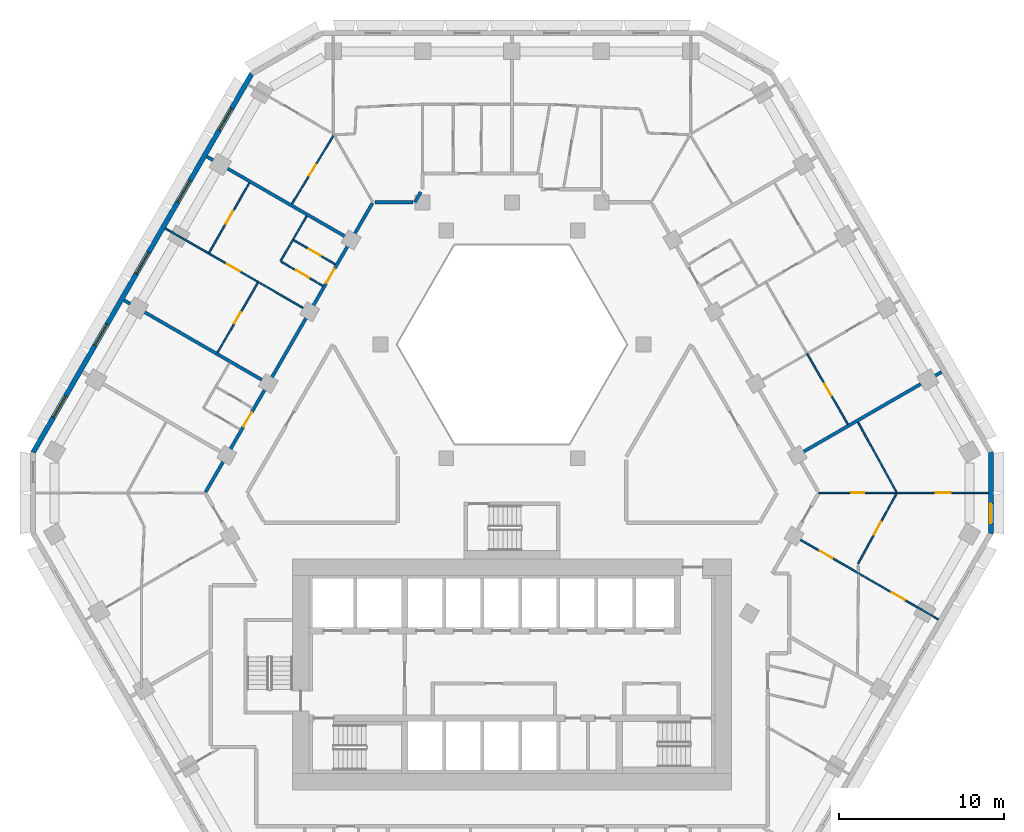
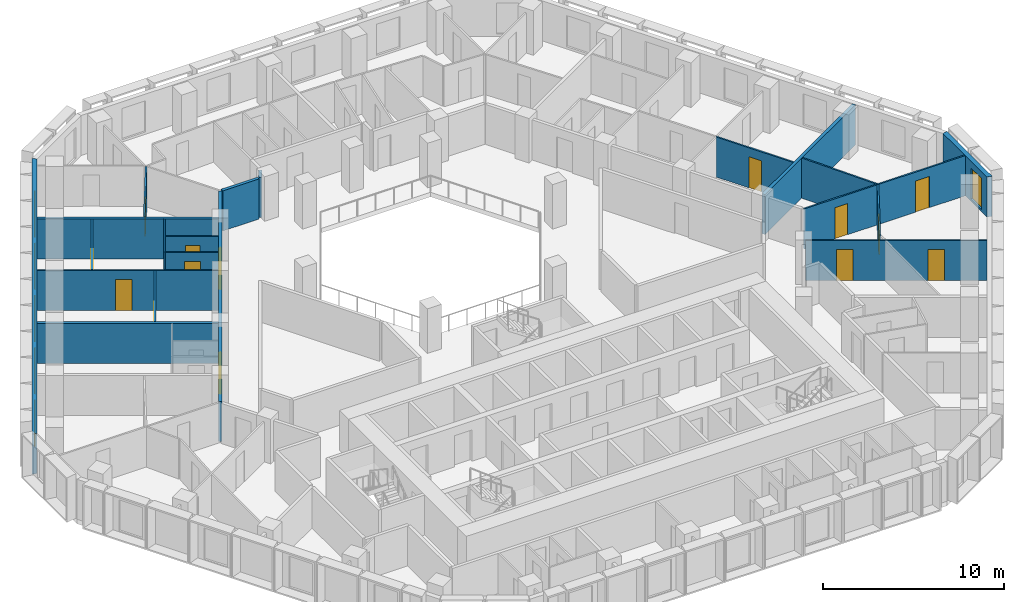
# One storey, part 7 of 15: 20 walls, 14 doors, 6 windows, 20 openings.
"""IFC4 building model written with IfcOpenShell, lengths in metres."""

from ifc_helpers import new_model, si_unit, direction, frame, frame_2d, origin, place, context, subcontext, project, spatial, polyline, rectangle, outline, extrude, material, layer, layer_set, type_object, element, fill, save


model = new_model("IFC4")

# Units and contexts
model_context = context("Model", 3, precision=1e-05, world=origin(), true_north=direction((0.0, 1.0)))
body_context = subcontext(model_context, "Body", "Model", "MODEL_VIEW")
ifc_project = project(units=[si_unit("LENGTHUNIT", "METRE"), si_unit("AREAUNIT", "SQUARE_METRE"), si_unit("VOLUMEUNIT", "CUBIC_METRE"), si_unit("PLANEANGLEUNIT", "RADIAN"), si_unit("MASSUNIT", "GRAM", prefix="KILO")], contexts=[model_context])

# Site, building, storey
site_placement = place(None, origin())
site = spatial("IfcSite", under=ifc_project, at=site_placement, CompositionType="ELEMENT")
building_placement = place(site_placement, origin())
building = spatial("IfcBuilding", under=site, at=building_placement, Name="Beryl Residences", CompositionType="ELEMENT")
storey_placement = place(building_placement, frame((0.0, 0.0, 84.0)))
storey = spatial("IfcBuildingStorey", under=building, at=storey_placement, Name="L25", CompositionType="ELEMENT", Elevation=84.0)

# Wall, openings, windows
ifc_material_1 = material(Name="Composite metal panel with mineral wool insulation")
ifc_layer_1 = layer(ifc_material_1, 0.300048828125)
ifc_layer_set_1 = layer_set([ifc_layer_1], Name="ES1 pale metal composite panel wall 300 mm")
wall_type_1 = type_object("IfcWallType", Name="ES1 pale metal composite panel wall 300 mm", PredefinedType="SOLIDWALL", material=ifc_layer_set_1)
wall_1_placement = place(storey_placement, frame((-15.7470703125, 24.425048828125, 0.0), z_axis=(0.0, 0.0, 1.0), x_axis=(-0.500027479704, -0.866009537788, 0.0)))
wall_1 = element("IfcWall", 1, at=wall_1_placement, inside=storey, type_object=wall_type_1, Name="ES1 external wall L25 NW", PredefinedType="SOLIDWALL", context=body_context, shape_type="SweptSolid", body=[
    extrude(outline(polyline([(0.0, -0.14990234375), (26.55859375, -0.14990234375), (26.478271484375, 0.14990234375), (0.080322265625, 0.14990234375), (0.0, -0.14990234375)])), origin(), (0.0, 0.0, 1.0), 2.699951171875),
])
opening_1_placement = place(wall_1_placement, frame((2.48291015625, 0.0, 0.14990234375)))
opening_1 = element("IfcOpeningElement", 2, at=opening_1_placement, cuts=wall_1, Name="Opening W1", PredefinedType="OPENING", context=body_context, shape_type="SweptSolid", body=[
    extrude(rectangle(XDim=1.5, YDim=2.10009765625, at=frame_2d((0.75, 1.050048828125))), frame((0.0, 0.159912109375, 0.0), z_axis=(0.0, -1.0, 0.0), x_axis=(1.0, 0.0, 0.0)), (0.0, 0.0, 1.0), 0.320068359375),
])
opening_2_placement = place(wall_1_placement, frame((7.506103515625, 0.0, 0.14990234375)))
opening_2 = element("IfcOpeningElement", 3, at=opening_2_placement, cuts=wall_1, Name="Opening W1", PredefinedType="OPENING", context=body_context, shape_type="SweptSolid", body=[
    extrude(rectangle(XDim=1.5, YDim=2.10009765625, at=frame_2d((0.75, 1.050048828125))), frame((0.0, 0.159912109375, 0.0), z_axis=(0.0, -1.0, 0.0), x_axis=(1.0, 0.0, 0.0)), (0.0, 0.0, 1.0), 0.320068359375),
])
opening_3_placement = place(wall_1_placement, frame((12.529052734375, 0.0, 0.14990234375)))
opening_3 = element("IfcOpeningElement", 4, at=opening_3_placement, cuts=wall_1, Name="Opening W1", PredefinedType="OPENING", context=body_context, shape_type="SweptSolid", body=[
    extrude(rectangle(XDim=1.5, YDim=2.10009765625, at=frame_2d((0.75, 1.050048828125))), frame((0.0, 0.159912109375, 0.0), z_axis=(0.0, -1.0, 0.0), x_axis=(1.0, 0.0, 0.0)), (0.0, 0.0, 1.0), 0.320068359375),
])
opening_4_placement = place(wall_1_placement, frame((17.552001953125, 0.0, 0.14990234375)))
opening_4 = element("IfcOpeningElement", 5, at=opening_4_placement, cuts=wall_1, Name="Opening W1", PredefinedType="OPENING", context=body_context, shape_type="SweptSolid", body=[
    extrude(rectangle(XDim=1.5, YDim=2.10009765625, at=frame_2d((0.75, 1.050048828125))), frame((0.0, 0.159912109375, 0.0), z_axis=(0.0, -1.0, 0.0), x_axis=(1.0, 0.0, 0.0)), (0.0, 0.0, 1.0), 0.320068359375),
])
opening_5_placement = place(wall_1_placement, frame((22.574951171875, 0.0, 0.14990234375)))
opening_5 = element("IfcOpeningElement", 6, at=opening_5_placement, cuts=wall_1, Name="Opening W1", PredefinedType="OPENING", context=body_context, shape_type="SweptSolid", body=[
    extrude(rectangle(XDim=1.5, YDim=2.10009765625, at=frame_2d((0.75, 1.050048828125))), frame((0.0, 0.159912109375, 0.0), z_axis=(0.0, -1.0, 0.0), x_axis=(1.0, 0.0, 0.0)), (0.0, 0.0, 1.0), 0.320068359375),
])
ifc_material_2 = material(Name="Aluminium and clear glass", Category="aluminium")
window_type_1 = type_object("IfcWindowType", Name="W1 cell window 1500 x 2100 mm", PartitioningType="SINGLE_PANEL", PredefinedType="WINDOW", material=ifc_material_2)
window_1_placement = place(opening_1_placement, origin())
window_1 = element("IfcWindow", 7, at=window_1_placement, inside=storey, type_object=window_type_1, Name="W1 window L25 NW 2", OverallHeight=2.10009765625, OverallWidth=1.5, PartitioningType="SINGLE_PANEL", PredefinedType="WINDOW", context=body_context, shape_type="SweptSolid", body=[
    extrude(rectangle(XDim=1.5, YDim=2.10009765625, at=frame_2d((0.75, 1.050048828125))), frame((0.0, 0.030029296875, 0.0), z_axis=(0.0, -1.0, 0.0), x_axis=(1.0, 0.0, 0.0)), (0.0, 0.0, 1.0), 0.06005859375),
])
fill(opening_1, window_1)
window_2_placement = place(opening_2_placement, origin())
window_2 = element("IfcWindow", 8, at=window_2_placement, inside=storey, type_object=window_type_1, Name="W1 window L25 NW 4", OverallHeight=2.10009765625, OverallWidth=1.5, PartitioningType="SINGLE_PANEL", PredefinedType="WINDOW", context=body_context, shape_type="SweptSolid", body=[
    extrude(rectangle(XDim=1.5, YDim=2.10009765625, at=frame_2d((0.75, 1.050048828125))), frame((0.0, 0.030029296875, 0.0), z_axis=(0.0, -1.0, 0.0), x_axis=(1.0, 0.0, 0.0)), (0.0, 0.0, 1.0), 0.06005859375),
])
fill(opening_2, window_2)
window_3_placement = place(opening_3_placement, origin())
window_3 = element("IfcWindow", 9, at=window_3_placement, inside=storey, type_object=window_type_1, Name="W1 window L25 NW 6", OverallHeight=2.10009765625, OverallWidth=1.5, PartitioningType="SINGLE_PANEL", PredefinedType="WINDOW", context=body_context, shape_type="SweptSolid", body=[
    extrude(rectangle(XDim=1.5, YDim=2.10009765625, at=frame_2d((0.75, 1.050048828125))), frame((0.0, 0.030029296875, 0.0), z_axis=(0.0, -1.0, 0.0), x_axis=(1.0, 0.0, 0.0)), (0.0, 0.0, 1.0), 0.06005859375),
])
fill(opening_3, window_3)
window_4_placement = place(opening_4_placement, origin())
window_4 = element("IfcWindow", 10, at=window_4_placement, inside=storey, type_object=window_type_1, Name="W1 window L25 NW 8", OverallHeight=2.10009765625, OverallWidth=1.5, PartitioningType="SINGLE_PANEL", PredefinedType="WINDOW", context=body_context, shape_type="SweptSolid", body=[
    extrude(rectangle(XDim=1.5, YDim=2.10009765625, at=frame_2d((0.75, 1.050048828125))), frame((0.0, 0.030029296875, 0.0), z_axis=(0.0, -1.0, 0.0), x_axis=(1.0, 0.0, 0.0)), (0.0, 0.0, 1.0), 0.06005859375),
])
fill(opening_4, window_4)
window_5_placement = place(opening_5_placement, origin())
window_5 = element("IfcWindow", 11, at=window_5_placement, inside=storey, type_object=window_type_1, Name="W1 window L25 NW 10", OverallHeight=2.10009765625, OverallWidth=1.5, PartitioningType="SINGLE_PANEL", PredefinedType="WINDOW", context=body_context, shape_type="SweptSolid", body=[
    extrude(rectangle(XDim=1.5, YDim=2.10009765625, at=frame_2d((0.75, 1.050048828125))), frame((0.0, 0.030029296875, 0.0), z_axis=(0.0, -1.0, 0.0), x_axis=(1.0, 0.0, 0.0)), (0.0, 0.0, 1.0), 0.06005859375),
])
fill(opening_5, window_5)

# Wall, opening, window
wall_2_placement = place(storey_placement, frame((29.007080078125, -3.5, 0.0), z_axis=(0.0, 0.0, 1.0), x_axis=(0.0, 1.0, 0.0)))
wall_2 = element("IfcWall", 12, at=wall_2_placement, inside=storey, type_object=wall_type_1, Name="ES1 external wall L25 SE-NE", PredefinedType="SOLIDWALL", context=body_context, shape_type="SweptSolid", body=[
    extrude(outline(polyline([(0.0, -0.14990234375), (5.0, -0.14990234375), (4.919677734375, 0.14990234375), (0.080322265625, 0.14990234375), (0.0, -0.14990234375)])), origin(), (0.0, 0.0, 1.0), 2.699951171875),
])
opening_6_placement = place(wall_2_placement, frame((0.64990234375, 0.0, 0.14990234375)))
opening_6 = element("IfcOpeningElement", 13, at=opening_6_placement, cuts=wall_2, Name="Opening W2", PredefinedType="OPENING", context=body_context, shape_type="SweptSolid", body=[
    extrude(rectangle(XDim=1.199951171875, YDim=2.10009765625, at=frame_2d((0.60009765625, 1.050048828125))), frame((0.0, 0.159912109375, 0.0), z_axis=(0.0, -1.0, 0.0), x_axis=(1.0, 0.0, 0.0)), (0.0, 0.0, 1.0), 0.320068359375),
])
ifc_material_3 = material(Name="Aluminium and clear glass", Category="aluminium")
window_type_2 = type_object("IfcWindowType", Name="W2 chamfer window 1200 x 2100 mm", PartitioningType="SINGLE_PANEL", PredefinedType="WINDOW", material=ifc_material_3)
window_6_placement = place(opening_6_placement, origin())
window_6 = element("IfcWindow", 14, at=window_6_placement, inside=storey, type_object=window_type_2, Name="W2 window L25 SE-NE 1", OverallHeight=2.10009765625, OverallWidth=1.199951171875, PartitioningType="SINGLE_PANEL", PredefinedType="WINDOW", context=body_context, shape_type="SweptSolid", body=[
    extrude(rectangle(XDim=1.199951171875, YDim=2.10009765625, at=frame_2d((0.60009765625, 1.050048828125))), frame((0.0, 0.030029296875, 0.0), z_axis=(0.0, -1.0, 0.0), x_axis=(1.0, 0.0, 0.0)), (0.0, 0.0, 1.0), 0.06005859375),
])
fill(opening_6, window_6)

# Wall
ifc_material_4 = material(Name="Gypsum board partition on steel studs", Category="steel")
ifc_layer_2 = layer(ifc_material_4, 0.10009765625)
ifc_layer_set_2 = layer_set([ifc_layer_2], Name="PT1 partition 100 mm gypsum board on steel studs")
wall_type_2 = type_object("IfcWallType", Name="PT1 partition 100 mm gypsum board on steel studs", PredefinedType="PARTITIONING", material=ifc_layer_set_2)
wall_3_placement = place(storey_placement, frame((20.964111328125, 3.287109375, 0.0), z_axis=(0.0, 0.0, 1.0), x_axis=(0.48115599782, -0.87663499004, 0.0)))
element("IfcWall", 15, at=wall_3_placement, inside=storey, type_object=wall_type_2, Name="Wall PT1 L25 008", PredefinedType="PARTITIONING", context=body_context, shape_type="SweptSolid", body=[
    extrude(rectangle(XDim=4.830078125, YDim=0.10009765625, at=frame_2d((2.4150390625, 0.0))), origin(), (0.0, 0.0, 1.0), 2.699951171875),
])

# Wall, opening, door
wall_4_placement = place(storey_placement, frame((-13.98095703125, 13.001953125, 0.0), z_axis=(0.0, 0.0, 1.0), x_axis=(0.86595634977, -0.500119585993, 0.0)))
wall_4 = element("IfcWall", 16, at=wall_4_placement, inside=storey, type_object=wall_type_2, Name="Wall PT1 L25 022", PredefinedType="PARTITIONING", context=body_context, shape_type="SweptSolid", body=[
    extrude(rectangle(XDim=2.908935546875, YDim=0.10009765625, at=frame_2d((1.45458984375, 0.0))), origin(), (0.0, 0.0, 1.0), 2.699951171875),
])
opening_7_placement = place(wall_4_placement, frame((1.029052734375, 0.0, 0.0)))
opening_7 = element("IfcOpeningElement", 17, at=opening_7_placement, cuts=wall_4, Name="Opening D0832", PredefinedType="OPENING", context=body_context, shape_type="SweptSolid", body=[
    extrude(rectangle(XDim=0.89990234375, YDim=2.10009765625, at=frame_2d((0.449951171875, 1.050048828125))), frame((0.0, 0.06005859375, 0.0), z_axis=(0.0, -1.0, 0.0), x_axis=(1.0, 0.0, 0.0)), (0.0, 0.0, 1.0), 0.1201171875),
])
ifc_material_5 = material(Name="Timber door leaf", Category="wood")
door_type_1 = type_object("IfcDoorType", Name="D2 room door 900 x 2100 mm", OperationType="SINGLE_SWING_LEFT", PredefinedType="DOOR", material=ifc_material_5)
door_1_placement = place(opening_7_placement, origin())
door_1 = element("IfcDoor", 18, at=door_1_placement, inside=storey, type_object=door_type_1, Name="Door D0832 L25 001", OperationType="SINGLE_SWING_RIGHT", OverallHeight=2.10009765625, OverallWidth=0.89990234375, PredefinedType="DOOR", context=body_context, shape_type="SweptSolid", body=[
    extrude(rectangle(XDim=0.89990234375, YDim=2.10009765625, at=frame_2d((0.449951171875, 1.050048828125))), frame((0.0, 0.02490234375, 0.0), z_axis=(0.0, -1.0, 0.0), x_axis=(1.0, 0.0, 0.0)), (0.0, 0.0, 1.0), 0.050048828125),
])
fill(opening_7, door_1)

# Wall, openings, doors
wall_5_placement = place(storey_placement, frame((17.1689453125, -3.662109375, 0.0), z_axis=(0.0, 0.0, 1.0), x_axis=(0.866047370643, -0.499961950354, 0.0)))
wall_5 = element("IfcWall", 19, at=wall_5_placement, inside=storey, type_object=wall_type_2, Name="Wall PT1 L25 023", PredefinedType="PARTITIONING", context=body_context, shape_type="SweptSolid", body=[
    extrude(rectangle(XDim=10.000732421875, YDim=0.10009765625, at=frame_2d((5.00048828125, 0.0))), origin(), (0.0, 0.0, 1.0), 2.699951171875),
])
opening_8_placement = place(wall_5_placement, frame((1.7060546875, 0.0, 0.0)))
opening_8 = element("IfcOpeningElement", 20, at=opening_8_placement, cuts=wall_5, Name="Opening D0804", PredefinedType="OPENING", context=body_context, shape_type="SweptSolid", body=[
    extrude(rectangle(XDim=0.89990234375, YDim=2.10009765625, at=frame_2d((0.449951171875, 1.050048828125))), frame((0.0, 0.06005859375, 0.0), z_axis=(0.0, -1.0, 0.0), x_axis=(1.0, 0.0, 0.0)), (0.0, 0.0, 1.0), 0.1201171875),
])
opening_9_placement = place(wall_5_placement, frame((6.757080078125, 0.0, 0.0)))
opening_9 = element("IfcOpeningElement", 21, at=opening_9_placement, cuts=wall_5, Name="Opening D0805", PredefinedType="OPENING", context=body_context, shape_type="SweptSolid", body=[
    extrude(rectangle(XDim=0.89990234375, YDim=2.10009765625, at=frame_2d((0.449951171875, 1.050048828125))), frame((0.0, 0.06005859375, 0.0), z_axis=(0.0, -1.0, 0.0), x_axis=(1.0, 0.0, 0.0)), (0.0, 0.0, 1.0), 0.1201171875),
])
door_2_placement = place(opening_8_placement, origin())
door_2 = element("IfcDoor", 22, at=door_2_placement, inside=storey, type_object=door_type_1, Name="Door D0804 L25 001", OperationType="SINGLE_SWING_RIGHT", OverallHeight=2.10009765625, OverallWidth=0.89990234375, PredefinedType="DOOR", context=body_context, shape_type="SweptSolid", body=[
    extrude(rectangle(XDim=0.89990234375, YDim=2.10009765625, at=frame_2d((0.449951171875, 1.050048828125))), frame((0.0, 0.02490234375, 0.0), z_axis=(0.0, -1.0, 0.0), x_axis=(1.0, 0.0, 0.0)), (0.0, 0.0, 1.0), 0.050048828125),
])
fill(opening_8, door_2)
door_3_placement = place(opening_9_placement, origin())
door_3 = element("IfcDoor", 23, at=door_3_placement, inside=storey, type_object=door_type_1, Name="Door D0805 L25 001", OperationType="SINGLE_SWING_LEFT", OverallHeight=2.10009765625, OverallWidth=0.89990234375, PredefinedType="DOOR", context=body_context, shape_type="SweptSolid", body=[
    extrude(rectangle(XDim=0.89990234375, YDim=2.10009765625, at=frame_2d((0.449951171875, 1.050048828125))), frame((0.0, 0.02490234375, 0.0), z_axis=(0.0, -1.0, 0.0), x_axis=(1.0, 0.0, 0.0)), (0.0, 0.0, 1.0), 0.050048828125),
])
fill(opening_9, door_3)

# Wall, opening, door
wall_6_placement = place(storey_placement, frame((-13.22802734375, 14.30810546875, 0.0), z_axis=(0.0, 0.0, 1.0), x_axis=(0.866003949776, -0.500037157592, 0.0)))
wall_6 = element("IfcWall", 24, at=wall_6_placement, inside=storey, type_object=wall_type_2, Name="Wall PT1 L25 024", PredefinedType="PARTITIONING", context=body_context, shape_type="SweptSolid", body=[
    extrude(rectangle(XDim=2.909912109375, YDim=0.10009765625, at=frame_2d((1.455078125, 0.0))), origin(), (0.0, 0.0, 1.0), 2.699951171875),
])
opening_10_placement = place(wall_6_placement, frame((1.080078125, 0.0, 0.0)))
opening_10 = element("IfcOpeningElement", 25, at=opening_10_placement, cuts=wall_6, Name="Opening D0833", PredefinedType="OPENING", context=body_context, shape_type="SweptSolid", body=[
    extrude(rectangle(XDim=0.800048828125, YDim=2.10009765625, at=frame_2d((0.39990234375, 1.050048828125))), frame((0.0, 0.06005859375, 0.0), z_axis=(0.0, -1.0, 0.0), x_axis=(1.0, 0.0, 0.0)), (0.0, 0.0, 1.0), 0.1201171875),
])
ifc_material_6 = material(Name="Timber door leaf", Category="wood")
door_type_2 = type_object("IfcDoorType", Name="D3 bathroom door 800 x 2100 mm", OperationType="SINGLE_SWING_LEFT", PredefinedType="DOOR", material=ifc_material_6)
door_4_placement = place(opening_10_placement, origin())
door_4 = element("IfcDoor", 26, at=door_4_placement, inside=storey, type_object=door_type_2, Name="Door D0833 L25 001", OperationType="SINGLE_SWING_LEFT", OverallHeight=2.10009765625, OverallWidth=0.800048828125, PredefinedType="DOOR", context=body_context, shape_type="SweptSolid", body=[
    extrude(rectangle(XDim=0.800048828125, YDim=2.10009765625, at=frame_2d((0.39990234375, 1.050048828125))), frame((0.0, 0.02490234375, 0.0), z_axis=(0.0, -1.0, 0.0), x_axis=(1.0, 0.0, 0.0)), (0.0, 0.0, 1.0), 0.050048828125),
])
fill(opening_10, door_4)

wall_7_placement = place(storey_placement, frame((-21.0009765625, 15.02490234375, 0.0), z_axis=(0.0, 0.0, 1.0), x_axis=(0.866016855193, -0.500014806302, 0.0)))
wall_7 = element("IfcWall", 27, at=wall_7_placement, inside=storey, type_object=wall_type_2, Name="Wall PT1 L25 026", PredefinedType="PARTITIONING", context=body_context, shape_type="SweptSolid", body=[
    extrude(rectangle(XDim=9.999755859375, YDim=0.10009765625, at=frame_2d((5.0, 0.0))), origin(), (0.0, 0.0, 1.0), 2.699951171875),
])
opening_11_placement = place(wall_7_placement, frame((4.324951171875, 0.0, 0.0)))
opening_11 = element("IfcOpeningElement", 28, at=opening_11_placement, cuts=wall_7, Name="Opening D0835", PredefinedType="OPENING", context=body_context, shape_type="SweptSolid", body=[
    extrude(rectangle(XDim=0.89990234375, YDim=2.10009765625, at=frame_2d((0.449951171875, 1.050048828125))), frame((0.0, 0.06005859375, 0.0), z_axis=(0.0, -1.0, 0.0), x_axis=(1.0, 0.0, 0.0)), (0.0, 0.0, 1.0), 0.1201171875),
])
door_5_placement = place(opening_11_placement, origin())
door_5 = element("IfcDoor", 29, at=door_5_placement, inside=storey, type_object=door_type_1, Name="Door D0835 L25 001", OperationType="SINGLE_SWING_LEFT", OverallHeight=2.10009765625, OverallWidth=0.89990234375, PredefinedType="DOOR", context=body_context, shape_type="SweptSolid", body=[
    extrude(rectangle(XDim=0.89990234375, YDim=2.10009765625, at=frame_2d((0.449951171875, 1.050048828125))), frame((0.0, 0.02490234375, 0.0), z_axis=(0.0, -1.0, 0.0), x_axis=(1.0, 0.0, 0.0)), (0.0, 0.0, 1.0), 0.050048828125),
])
fill(opening_11, door_5)

# Wall, openings, doors
wall_8_placement = place(storey_placement, frame((18.591064453125, -0.9990234375, 0.0), z_axis=(0.0, 0.0, 1.0), x_axis=(1.0, 0.0, 0.0)))
wall_8 = element("IfcWall", 30, at=wall_8_placement, inside=storey, type_object=wall_type_2, Name="Wall PT1 L25 028", PredefinedType="PARTITIONING", context=body_context, shape_type="SweptSolid", body=[
    extrude(rectangle(XDim=10.265869140625, YDim=0.10009765625, at=frame_2d((5.1328125, 0.0))), origin(), (0.0, 0.0, 1.0), 2.699951171875),
])
opening_12_placement = place(wall_8_placement, frame((1.962890625, 0.0, 0.0)))
opening_12 = element("IfcOpeningElement", 31, at=opening_12_placement, cuts=wall_8, Name="Opening D0803", PredefinedType="OPENING", context=body_context, shape_type="SweptSolid", body=[
    extrude(rectangle(XDim=0.800048828125, YDim=2.10009765625, at=frame_2d((0.39990234375, 1.050048828125))), frame((0.0, 0.06005859375, 0.0), z_axis=(0.0, -1.0, 0.0), x_axis=(1.0, 0.0, 0.0)), (0.0, 0.0, 1.0), 0.1201171875),
])
opening_13_placement = place(wall_8_placement, frame((7.0791015625, 0.0, 0.0)))
opening_13 = element("IfcOpeningElement", 32, at=opening_13_placement, cuts=wall_8, Name="Opening D0806", PredefinedType="OPENING", context=body_context, shape_type="SweptSolid", body=[
    extrude(rectangle(XDim=0.89990234375, YDim=2.10009765625, at=frame_2d((0.449951171875, 1.050048828125))), frame((0.0, 0.06005859375, 0.0), z_axis=(0.0, -1.0, 0.0), x_axis=(1.0, 0.0, 0.0)), (0.0, 0.0, 1.0), 0.1201171875),
])
door_6_placement = place(opening_13_placement, origin())
door_6 = element("IfcDoor", 33, at=door_6_placement, inside=storey, type_object=door_type_1, Name="Door D0806 L25 001", OperationType="SINGLE_SWING_RIGHT", OverallHeight=2.10009765625, OverallWidth=0.89990234375, PredefinedType="DOOR", context=body_context, shape_type="SweptSolid", body=[
    extrude(rectangle(XDim=0.89990234375, YDim=2.10009765625, at=frame_2d((0.449951171875, 1.050048828125))), frame((0.0, 0.02490234375, 0.0), z_axis=(0.0, -1.0, 0.0), x_axis=(1.0, 0.0, 0.0)), (0.0, 0.0, 1.0), 0.050048828125),
])
fill(opening_13, door_6)
door_7_placement = place(opening_12_placement, origin())
door_7 = element("IfcDoor", 34, at=door_7_placement, inside=storey, type_object=door_type_2, Name="Door D0803 L25 001", OperationType="SINGLE_SWING_LEFT", OverallHeight=2.10009765625, OverallWidth=0.800048828125, PredefinedType="DOOR", context=body_context, shape_type="SweptSolid", body=[
    extrude(rectangle(XDim=0.800048828125, YDim=2.10009765625, at=frame_2d((0.39990234375, 1.050048828125))), frame((0.0, 0.02490234375, 0.0), z_axis=(0.0, -1.0, 0.0), x_axis=(1.0, 0.0, 0.0)), (0.0, 0.0, 1.0), 0.050048828125),
])
fill(opening_12, door_7)

# Wall, opening, door
wall_9_placement = place(storey_placement, frame((-13.327880859375, 16.510986328125, 0.0), z_axis=(0.0, 0.0, 1.0), x_axis=(0.518570528669, 0.855034857065, 0.0)))
wall_9 = element("IfcWall", 35, at=wall_9_placement, inside=storey, type_object=wall_type_2, Name="Wall PT1 L25 033", PredefinedType="PARTITIONING", context=body_context, shape_type="SweptSolid", body=[
    extrude(rectangle(XDim=4.830322265625, YDim=0.10009765625, at=frame_2d((2.4150390625, 0.0))), origin(), (0.0, 0.0, 1.0), 2.699951171875),
])
opening_14_placement = place(wall_9_placement, frame((1.9951171875, 0.0, 0.0)))
opening_14 = element("IfcOpeningElement", 36, at=opening_14_placement, cuts=wall_9, Name="Opening D0830", PredefinedType="OPENING", context=body_context, shape_type="SweptSolid", body=[
    extrude(rectangle(XDim=0.800048828125, YDim=2.10009765625, at=frame_2d((0.39990234375, 1.050048828125))), frame((0.0, 0.06005859375, 0.0), z_axis=(0.0, -1.0, 0.0), x_axis=(1.0, 0.0, 0.0)), (0.0, 0.0, 1.0), 0.1201171875),
])
door_8_placement = place(opening_14_placement, origin())
door_8 = element("IfcDoor", 37, at=door_8_placement, inside=storey, type_object=door_type_2, Name="Door D0830 L25 001", OperationType="SINGLE_SWING_RIGHT", OverallHeight=2.10009765625, OverallWidth=0.800048828125, PredefinedType="DOOR", context=body_context, shape_type="SweptSolid", body=[
    extrude(rectangle(XDim=0.800048828125, YDim=2.10009765625, at=frame_2d((0.39990234375, 1.050048828125))), frame((0.0, 0.02490234375, 0.0), z_axis=(0.0, -1.0, 0.0), x_axis=(1.0, 0.0, 0.0)), (0.0, 0.0, 1.0), 0.050048828125),
])
fill(opening_14, door_8)

# Wall
wall_10_placement = place(storey_placement, frame((-14.02490234375, 13.028076171875, 0.0), z_axis=(0.0, 0.0, 1.0), x_axis=(0.499965154568, 0.866045520869, 0.0)))
element("IfcWall", 38, at=wall_10_placement, inside=storey, type_object=wall_type_2, Name="Wall PT1 L25 036", PredefinedType="PARTITIONING", context=body_context, shape_type="SweptSolid", body=[
    extrude(rectangle(XDim=3.163818359375, YDim=0.10009765625, at=frame_2d((1.58203125, 0.0))), origin(), (0.0, 0.0, 1.0), 2.699951171875),
])

# Wall, opening, door
wall_11_placement = place(storey_placement, frame((-17.833984375, 7.511962890625, 0.0), z_axis=(0.0, 0.0, 1.0), x_axis=(0.500093956194, 0.865971151354, 0.0)))
wall_11 = element("IfcWall", 39, at=wall_11_placement, inside=storey, type_object=wall_type_2, Name="Wall PT1 L25 037", PredefinedType="PARTITIONING", context=body_context, shape_type="SweptSolid", body=[
    extrude(rectangle(XDim=4.873046875, YDim=0.10009765625, at=frame_2d((2.4365234375, 0.0))), origin(), (0.0, 0.0, 1.0), 2.699951171875),
])
opening_15_placement = place(wall_11_placement, frame((2.011962890625, 0.0, 0.0)))
opening_15 = element("IfcOpeningElement", 40, at=opening_15_placement, cuts=wall_11, Name="Opening D0836", PredefinedType="OPENING", context=body_context, shape_type="SweptSolid", body=[
    extrude(rectangle(XDim=0.800048828125, YDim=2.10009765625, at=frame_2d((0.39990234375, 1.050048828125))), frame((0.0, 0.06005859375, 0.0), z_axis=(0.0, -1.0, 0.0), x_axis=(1.0, 0.0, 0.0)), (0.0, 0.0, 1.0), 0.1201171875),
])
door_9_placement = place(opening_15_placement, origin())
door_9 = element("IfcDoor", 41, at=door_9_placement, inside=storey, type_object=door_type_2, Name="Door D0836 L25 001", OperationType="SINGLE_SWING_RIGHT", OverallHeight=2.10009765625, OverallWidth=0.800048828125, PredefinedType="DOOR", context=body_context, shape_type="SweptSolid", body=[
    extrude(rectangle(XDim=0.800048828125, YDim=2.10009765625, at=frame_2d((0.39990234375, 1.050048828125))), frame((0.0, 0.02490234375, 0.0), z_axis=(0.0, -1.0, 0.0), x_axis=(1.0, 0.0, 0.0)), (0.0, 0.0, 1.0), 0.050048828125),
])
fill(opening_15, door_9)

wall_12_placement = place(storey_placement, frame((-18.35205078125, 13.552978515625, 0.0), z_axis=(0.0, 0.0, 1.0), x_axis=(0.500007182864, 0.866021256716, 0.0)))
wall_12 = element("IfcWall", 42, at=wall_12_placement, inside=storey, type_object=wall_type_2, Name="Wall PT1 L25 038", PredefinedType="PARTITIONING", context=body_context, shape_type="SweptSolid", body=[
    extrude(rectangle(XDim=4.8740234375, YDim=0.10009765625, at=frame_2d((2.43701171875, 0.0))), origin(), (0.0, 0.0, 1.0), 2.699951171875),
])
opening_16_placement = place(wall_12_placement, frame((2.011962890625, 0.0, 0.0)))
opening_16 = element("IfcOpeningElement", 43, at=opening_16_placement, cuts=wall_12, Name="Opening D0834", PredefinedType="OPENING", context=body_context, shape_type="SweptSolid", body=[
    extrude(rectangle(XDim=0.89990234375, YDim=2.10009765625, at=frame_2d((0.449951171875, 1.050048828125))), frame((0.0, 0.06005859375, 0.0), z_axis=(0.0, -1.0, 0.0), x_axis=(1.0, 0.0, 0.0)), (0.0, 0.0, 1.0), 0.1201171875),
])
door_10_placement = place(opening_16_placement, origin())
door_10 = element("IfcDoor", 44, at=door_10_placement, inside=storey, type_object=door_type_1, Name="Door D0834 L25 001", OperationType="SINGLE_SWING_RIGHT", OverallHeight=2.10009765625, OverallWidth=0.89990234375, PredefinedType="DOOR", context=body_context, shape_type="SweptSolid", body=[
    extrude(rectangle(XDim=0.89990234375, YDim=2.10009765625, at=frame_2d((0.449951171875, 1.050048828125))), frame((0.0, 0.02490234375, 0.0), z_axis=(0.0, -1.0, 0.0), x_axis=(1.0, 0.0, 0.0)), (0.0, 0.0, 1.0), 0.050048828125),
])
fill(opening_16, door_10)

wall_13_placement = place(storey_placement, frame((20.966064453125, -5.284912109375, 0.0), z_axis=(0.0, 0.0, 1.0), x_axis=(0.480851410542, 0.876802099096, 0.0)))
wall_13 = element("IfcWall", 45, at=wall_13_placement, inside=storey, type_object=wall_type_2, Name="Wall PT1 L25 040", PredefinedType="PARTITIONING", context=body_context, shape_type="SweptSolid", body=[
    extrude(rectangle(XDim=4.8310546875, YDim=0.10009765625, at=frame_2d((2.41552734375, 0.0))), origin(), (0.0, 0.0, 1.0), 2.699951171875),
])
opening_17_placement = place(wall_13_placement, frame((1.993896484375, 0.0, 0.0)))
opening_17 = element("IfcOpeningElement", 46, at=opening_17_placement, cuts=wall_13, Name="Opening D0802", PredefinedType="OPENING", context=body_context, shape_type="SweptSolid", body=[
    extrude(rectangle(XDim=0.89990234375, YDim=2.10009765625, at=frame_2d((0.449951171875, 1.050048828125))), frame((0.0, 0.06005859375, 0.0), z_axis=(0.0, -1.0, 0.0), x_axis=(1.0, 0.0, 0.0)), (0.0, 0.0, 1.0), 0.1201171875),
])
door_11_placement = place(opening_17_placement, origin())
door_11 = element("IfcDoor", 47, at=door_11_placement, inside=storey, type_object=door_type_1, Name="Door D0802 L25 001", OperationType="SINGLE_SWING_RIGHT", OverallHeight=2.10009765625, OverallWidth=0.89990234375, PredefinedType="DOOR", context=body_context, shape_type="SweptSolid", body=[
    extrude(rectangle(XDim=0.89990234375, YDim=2.10009765625, at=frame_2d((0.449951171875, 1.050048828125))), frame((0.0, 0.02490234375, 0.0), z_axis=(0.0, -1.0, 0.0), x_axis=(1.0, 0.0, 0.0)), (0.0, 0.0, 1.0), 0.050048828125),
])
fill(opening_17, door_11)

wall_14_placement = place(storey_placement, frame((17.884033203125, 7.425048828125, 0.0), z_axis=(0.0, 0.0, 1.0), x_axis=(0.500000007376, -0.866025399526, 0.0)))
wall_14 = element("IfcWall", 48, at=wall_14_placement, inside=storey, type_object=wall_type_2, Name="Wall PT1 L25 070", PredefinedType="PARTITIONING", context=body_context, shape_type="SweptSolid", body=[
    extrude(rectangle(XDim=4.923828125, YDim=0.10009765625, at=frame_2d((2.4619140625, 0.0))), origin(), (0.0, 0.0, 1.0), 2.699951171875),
])
opening_18_placement = place(wall_14_placement, frame((2.112060546875, 0.0, 0.0)))
opening_18 = element("IfcOpeningElement", 49, at=opening_18_placement, cuts=wall_14, Name="Opening D0813", PredefinedType="OPENING", context=body_context, shape_type="SweptSolid", body=[
    extrude(rectangle(XDim=0.800048828125, YDim=2.10009765625, at=frame_2d((0.39990234375, 1.050048828125))), frame((0.0, 0.06005859375, 0.0), z_axis=(0.0, -1.0, 0.0), x_axis=(1.0, 0.0, 0.0)), (0.0, 0.0, 1.0), 0.1201171875),
])
door_12_placement = place(opening_18_placement, origin())
door_12 = element("IfcDoor", 50, at=door_12_placement, inside=storey, type_object=door_type_2, Name="Door D0813 L25 001", OperationType="SINGLE_SWING_LEFT", OverallHeight=2.10009765625, OverallWidth=0.800048828125, PredefinedType="DOOR", context=body_context, shape_type="SweptSolid", body=[
    extrude(rectangle(XDim=0.800048828125, YDim=2.10009765625, at=frame_2d((0.39990234375, 1.050048828125))), frame((0.0, 0.02490234375, 0.0), z_axis=(0.0, -1.0, 0.0), x_axis=(1.0, 0.0, 0.0)), (0.0, 0.0, 1.0), 0.050048828125),
])
fill(opening_18, door_12)

# Walls
ifc_material_7 = material(Name="Acoustic double stud gypsum board wall")
ifc_layer_3 = layer(ifc_material_7, 0.199951171875)
ifc_layer_set_3 = layer_set([ifc_layer_3], Name="PT3 party wall 200 mm acoustic double stud")
wall_type_3 = type_object("IfcWallType", Name="PT3 party wall 200 mm acoustic double stud", PredefinedType="PARTITIONING", material=ifc_layer_set_3)
wall_15_placement = place(storey_placement, frame((-23.512939453125, 10.675048828125, 0.0), z_axis=(0.0, 0.0, 1.0), x_axis=(0.866041268327, -0.499972520799, 0.0)))
element("IfcWall", 51, at=wall_15_placement, inside=storey, type_object=wall_type_3, Name="Wall PT3 L25 005", PredefinedType="PARTITIONING", context=body_context, shape_type="SweptSolid", body=[
    extrude(rectangle(XDim=10.00048828125, YDim=0.199951171875, at=frame_2d((5.000244140625, 0.0))), origin(), (0.0, 0.0, 1.0), 2.699951171875),
])
for number, where, z_axis, x_axis, name in (
    (52, (-18.489013671875, 19.375, 0.0), (0.0, 0.0, 1.0), (0.866016855193, -0.500014806302, 0.0), "Wall PT3 L25 007"),
    (53, (17.364990234375, 1.324951171875, 0.0), (0.0, 0.0, 1.0), (0.866016855193, 0.500014806302, 0.0), "Wall PT3 L25 011"),
):
    element("IfcWall", number, at=place(storey_placement, frame(where, z_axis=z_axis, x_axis=x_axis)), inside=storey, type_object=wall_type_3, Name=name, PredefinedType="PARTITIONING", context=body_context, shape_type="SweptSolid", body=[
        extrude(rectangle(XDim=9.999755859375, YDim=0.199951171875, at=frame_2d((5.0, 0.0))), origin(), (0.0, 0.0, 1.0), 2.699951171875),
    ])
ifc_material_8 = material(Name="Double stud gypsum board wall")
ifc_layer_4 = layer(ifc_material_8, 0.199951171875)
ifc_layer_set_4 = layer_set([ifc_layer_4], Name="PT4 corridor wall 200 mm double stud")
wall_type_4 = type_object("IfcWallType", Name="PT4 corridor wall 200 mm double stud", PredefinedType="PARTITIONING", material=ifc_layer_set_4)
wall_16_placement = place(storey_placement, frame((-8.31396484375, 16.60009765625, 0.0), z_axis=(0.0, 0.0, 1.0), x_axis=(1.0, 0.0, 0.0)))
element("IfcWall", 54, at=wall_16_placement, inside=storey, type_object=wall_type_4, Name="Wall PT4 L25 020", PredefinedType="PARTITIONING", context=body_context, shape_type="SweptSolid", body=[
    extrude(rectangle(XDim=2.30908203125, YDim=0.199951171875, at=frame_2d((1.154541015625, 0.0))), origin(), (0.0, 0.0, 1.0), 2.699951171875),
])
wall_17_placement = place(storey_placement, frame((-5.888916015625, 16.60009765625, 0.0), z_axis=(0.0, 0.0, 1.0), x_axis=(0.499839240638, 0.866118198353, 0.0)))
element("IfcWall", 55, at=wall_17_placement, inside=storey, type_object=wall_type_4, Name="Wall PT4 L25 028", PredefinedType="PARTITIONING", context=body_context, shape_type="SweptSolid", body=[
    extrude(rectangle(XDim=0.723876953125, YDim=0.199951171875, at=frame_2d((0.36181640625, 0.0))), origin(), (0.0, 0.0, 1.0), 2.699951171875),
])

# Wall, openings, doors
wall_18_placement = place(storey_placement, frame((-18.56201171875, -0.950927734375, 0.0), z_axis=(0.0, 0.0, 1.0), x_axis=(0.499992962407, 0.866029466902, 0.0)))
wall_18 = element("IfcWall", 56, at=wall_18_placement, inside=storey, type_object=wall_type_4, Name="Wall PT4 L25 029", PredefinedType="PARTITIONING", context=body_context, shape_type="SweptSolid", body=[
    extrude(rectangle(XDim=20.208251953125, YDim=0.199951171875, at=frame_2d((10.10400390625, 0.0))), origin(), (0.0, 0.0, 1.0), 2.699951171875),
])
opening_19_placement = place(wall_18_placement, frame((14.626953125, 0.0, 0.0)))
opening_19 = element("IfcOpeningElement", 57, at=opening_19_placement, cuts=wall_18, Name="Opening D0831", PredefinedType="OPENING", context=body_context, shape_type="SweptSolid", body=[
    extrude(rectangle(XDim=1.0, YDim=2.10009765625, at=frame_2d((0.5, 1.050048828125))), frame((0.0, 0.10986328125, 0.0), z_axis=(0.0, -1.0, 0.0), x_axis=(1.0, 0.0, 0.0)), (0.0, 0.0, 1.0), 0.219970703125),
])
opening_20_placement = place(wall_18_placement, frame((4.5810546875, 0.0, 0.0)))
opening_20 = element("IfcOpeningElement", 58, at=opening_20_placement, cuts=wall_18, Name="Opening D0837", PredefinedType="OPENING", context=body_context, shape_type="SweptSolid", body=[
    extrude(rectangle(XDim=1.0, YDim=2.10009765625, at=frame_2d((0.5, 1.050048828125))), frame((0.0, 0.10986328125, 0.0), z_axis=(0.0, -1.0, 0.0), x_axis=(1.0, 0.0, 0.0)), (0.0, 0.0, 1.0), 0.219970703125),
])
ifc_material_9 = material(Name="Timber door leaf", Category="wood")
door_type_3 = type_object("IfcDoorType", Name="D1 flat entrance door 1000 x 2100 mm", OperationType="SINGLE_SWING_LEFT", PredefinedType="DOOR", material=ifc_material_9)
door_13_placement = place(opening_19_placement, origin())
door_13 = element("IfcDoor", 59, at=door_13_placement, inside=storey, type_object=door_type_3, Name="Door D0831 L25 001", OperationType="SINGLE_SWING_LEFT", OverallHeight=2.10009765625, OverallWidth=1.0, PredefinedType="DOOR", context=body_context, shape_type="SweptSolid", body=[
    extrude(rectangle(XDim=1.0, YDim=2.10009765625, at=frame_2d((0.5, 1.050048828125))), frame((0.0, 0.02490234375, 0.0), z_axis=(0.0, -1.0, 0.0), x_axis=(1.0, 0.0, 0.0)), (0.0, 0.0, 1.0), 0.050048828125),
])
fill(opening_19, door_13)
door_14_placement = place(opening_20_placement, origin())
door_14 = element("IfcDoor", 60, at=door_14_placement, inside=storey, type_object=door_type_3, Name="Door D0837 L25 001", OperationType="SINGLE_SWING_LEFT", OverallHeight=2.10009765625, OverallWidth=1.0, PredefinedType="DOOR", context=body_context, shape_type="SweptSolid", body=[
    extrude(rectangle(XDim=1.0, YDim=2.10009765625, at=frame_2d((0.5, 1.050048828125))), frame((0.0, 0.02490234375, 0.0), z_axis=(0.0, -1.0, 0.0), x_axis=(1.0, 0.0, 0.0)), (0.0, 0.0, 1.0), 0.050048828125),
])
fill(opening_20, door_14)

save(model, "model.ifc")
